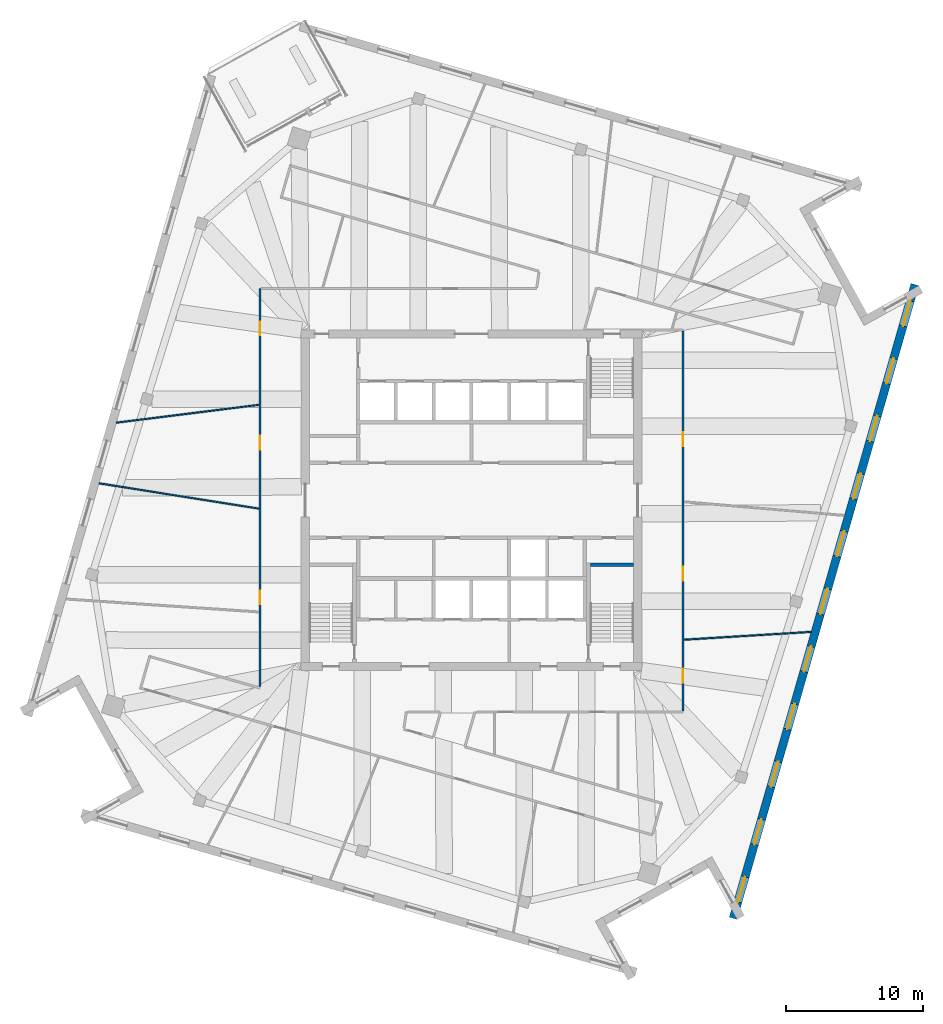
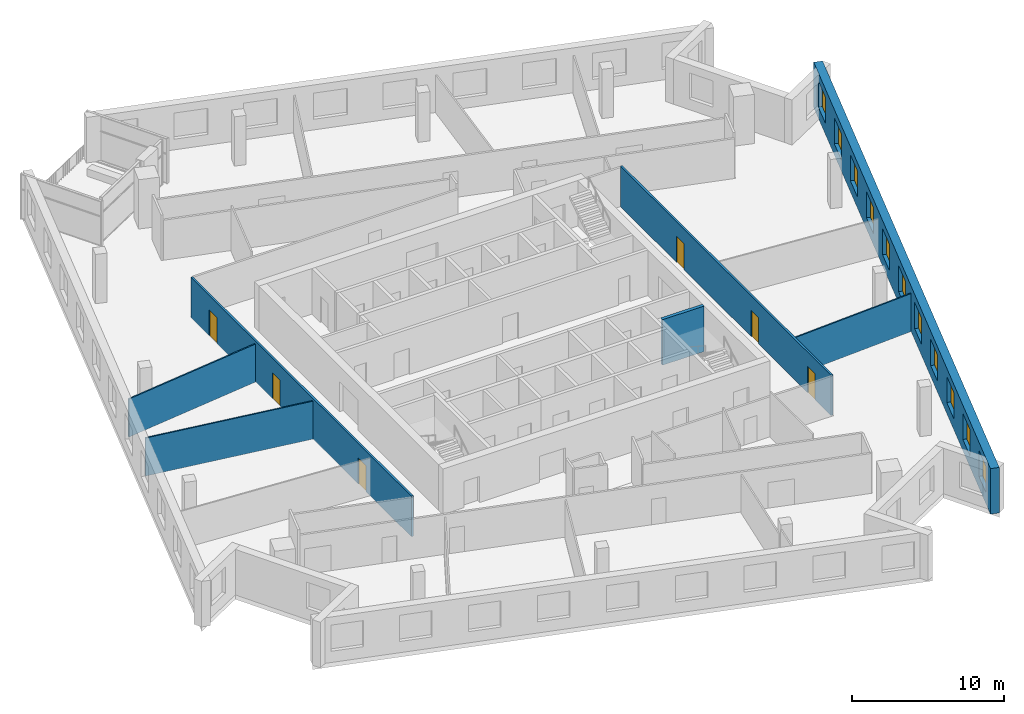
# One storey, part 9 of 15: 11 windows, 7 walls, 6 doors, 17 openings.
"""IFC4 building model written with IfcOpenShell, lengths in metres."""

from ifc_helpers import new_model, si_unit, direction, frame, frame_2d, origin, place, context, subcontext, project, spatial, rectangle, extrude, material, layer, layer_set, type_object, element, fill, save


model = new_model("IFC4")

# Units and contexts
model_context = context("Model", 3, precision=1e-05, world=origin(), true_north=direction((0.0, 1.0)))
body_context = subcontext(model_context, "Body", "Model", "MODEL_VIEW")
ifc_project = project(units=[si_unit("LENGTHUNIT", "METRE"), si_unit("AREAUNIT", "SQUARE_METRE"), si_unit("VOLUMEUNIT", "CUBIC_METRE"), si_unit("PLANEANGLEUNIT", "RADIAN"), si_unit("MASSUNIT", "GRAM", prefix="KILO")], contexts=[model_context])

# Site, building, storey
site_placement = place(None, origin())
site = spatial("IfcSite", under=ifc_project, at=site_placement, CompositionType="ELEMENT")
building_placement = place(site_placement, origin())
building = spatial("IfcBuilding", under=site, at=building_placement, Name="Dilmun Exchange Tower", CompositionType="ELEMENT")
storey_placement = place(building_placement, frame((0.0, 0.0, 324.5)))
storey = spatial("IfcBuildingStorey", under=building, at=storey_placement, Name="L77", CompositionType="ELEMENT", Elevation=324.5)

# Wall, openings, doors
ifc_material_1 = material(Name="Corridor wall 150")
ifc_layer_1 = layer(ifc_material_1, 0.14990234375)
ifc_layer_set_1 = layer_set([ifc_layer_1], Name="Corridor wall 150")
wall_type_1 = type_object("IfcWallType", Name="Corridor wall 150", PredefinedType="PARTITIONING", material=ifc_layer_set_1)
wall_1_placement = place(storey_placement, frame((-15.39990234375, -13.5654296875, 0.0), z_axis=(0.0, 0.0, 1.0), x_axis=(0.0, 1.0, 0.0)))
wall_1 = element("IfcWall", 1, at=wall_1_placement, inside=storey, type_object=wall_type_1, Name="Corridor wall", PredefinedType="PARTITIONING", context=body_context, shape_type="SweptSolid", body=[
    extrude(rectangle(XDim=28.96533203125, YDim=0.14990234375, at=frame_2d((14.482666015625, 0.0))), origin(), (0.0, 0.0, 1.0), 3.25),
])
opening_1_placement = place(wall_1_placement, frame((5.985595703125, 0.0, 0.0)))
opening_1 = element("IfcOpeningElement", 2, at=opening_1_placement, cuts=wall_1, Name="Opening TF77-D03", PredefinedType="OPENING", context=body_context, shape_type="SweptSolid", body=[
    extrude(rectangle(XDim=1.0, YDim=2.10009765625, at=frame_2d((0.5, 1.050048828125))), frame((0.0, 0.0849609375, 0.0), z_axis=(0.0, -1.0, 0.0), x_axis=(1.0, 0.0, 0.0)), (0.0, 0.0, 1.0), 0.169921875),
])
opening_2_placement = place(wall_1_placement, frame((17.248779296875, 0.0, 0.0)))
opening_2 = element("IfcOpeningElement", 3, at=opening_2_placement, cuts=wall_1, Name="Opening TF77-D04", PredefinedType="OPENING", context=body_context, shape_type="SweptSolid", body=[
    extrude(rectangle(XDim=1.0, YDim=2.10009765625, at=frame_2d((0.5, 1.050048828125))), frame((0.0, 0.0849609375, 0.0), z_axis=(0.0, -1.0, 0.0), x_axis=(1.0, 0.0, 0.0)), (0.0, 0.0, 1.0), 0.169921875),
])
opening_3_placement = place(wall_1_placement, frame((25.57080078125, 0.0, 0.0)))
opening_3 = element("IfcOpeningElement", 4, at=opening_3_placement, cuts=wall_1, Name="Opening TF77-D06", PredefinedType="OPENING", context=body_context, shape_type="SweptSolid", body=[
    extrude(rectangle(XDim=1.0, YDim=2.10009765625, at=frame_2d((0.5, 1.050048828125))), frame((0.0, 0.0849609375, 0.0), z_axis=(0.0, -1.0, 0.0), x_axis=(1.0, 0.0, 0.0)), (0.0, 0.0, 1.0), 0.169921875),
])
ifc_material_2 = material(Name="Fire door 1000 x 2100")
door_type = type_object("IfcDoorType", Name="Fire door 1000 x 2100", OperationType="NOTDEFINED", PredefinedType="DOOR", material=ifc_material_2)
door_1_placement = place(opening_1_placement, origin())
door_1 = element("IfcDoor", 5, at=door_1_placement, inside=storey, type_object=door_type, Name="Door TF77-D03", OperationType="SINGLE_SWING_RIGHT", OverallHeight=2.10009765625, OverallWidth=1.0, PredefinedType="DOOR", context=body_context, shape_type="SweptSolid", body=[
    extrude(rectangle(XDim=1.0, YDim=2.10009765625, at=frame_2d((0.5, 1.050048828125))), frame((0.0, 0.02490234375, 0.0), z_axis=(0.0, -1.0, 0.0), x_axis=(1.0, 0.0, 0.0)), (0.0, 0.0, 1.0), 0.050048828125),
])
fill(opening_1, door_1)
door_2_placement = place(opening_2_placement, origin())
door_2 = element("IfcDoor", 6, at=door_2_placement, inside=storey, type_object=door_type, Name="Door TF77-D04", OperationType="SINGLE_SWING_LEFT", OverallHeight=2.10009765625, OverallWidth=1.0, PredefinedType="DOOR", context=body_context, shape_type="SweptSolid", body=[
    extrude(rectangle(XDim=1.0, YDim=2.10009765625, at=frame_2d((0.5, 1.050048828125))), frame((0.0, 0.02490234375, 0.0), z_axis=(0.0, -1.0, 0.0), x_axis=(1.0, 0.0, 0.0)), (0.0, 0.0, 1.0), 0.050048828125),
])
fill(opening_2, door_2)
door_3_placement = place(opening_3_placement, origin())
door_3 = element("IfcDoor", 7, at=door_3_placement, inside=storey, type_object=door_type, Name="Door TF77-D06", OperationType="SINGLE_SWING_LEFT", OverallHeight=2.10009765625, OverallWidth=1.0, PredefinedType="DOOR", context=body_context, shape_type="SweptSolid", body=[
    extrude(rectangle(XDim=1.0, YDim=2.10009765625, at=frame_2d((0.5, 1.050048828125))), frame((0.0, 0.02490234375, 0.0), z_axis=(0.0, -1.0, 0.0), x_axis=(1.0, 0.0, 0.0)), (0.0, 0.0, 1.0), 0.050048828125),
])
fill(opening_3, door_3)

wall_2_placement = place(storey_placement, frame((15.39990234375, -15.324951171875, 0.0), z_axis=(0.0, 0.0, 1.0), x_axis=(0.0, 1.0, 0.0)))
wall_2 = element("IfcWall", 8, at=wall_2_placement, inside=storey, type_object=wall_type_1, Name="Corridor wall", PredefinedType="PARTITIONING", context=body_context, shape_type="SweptSolid", body=[
    extrude(rectangle(XDim=27.64990234375, YDim=0.14990234375, at=frame_2d((13.824951171875, 0.0))), origin(), (0.0, 0.0, 1.0), 3.25),
])
opening_4_placement = place(wall_2_placement, frame((2.050048828125, 0.0, 0.0)))
opening_4 = element("IfcOpeningElement", 9, at=opening_4_placement, cuts=wall_2, Name="Opening TF77-D17", PredefinedType="OPENING", context=body_context, shape_type="SweptSolid", body=[
    extrude(rectangle(XDim=1.0, YDim=2.10009765625, at=frame_2d((0.5, 1.050048828125))), frame((0.0, 0.0849609375, 0.0), z_axis=(0.0, -1.0, 0.0), x_axis=(1.0, 0.0, 0.0)), (0.0, 0.0, 1.0), 0.169921875),
])
opening_5_placement = place(wall_2_placement, frame((9.474365234375, 0.0, 0.0)))
opening_5 = element("IfcOpeningElement", 10, at=opening_5_placement, cuts=wall_2, Name="Opening TF77-D18", PredefinedType="OPENING", context=body_context, shape_type="SweptSolid", body=[
    extrude(rectangle(XDim=1.0, YDim=2.10009765625, at=frame_2d((0.5, 1.050048828125))), frame((0.0, 0.0849609375, 0.0), z_axis=(0.0, -1.0, 0.0), x_axis=(1.0, 0.0, 0.0)), (0.0, 0.0, 1.0), 0.169921875),
])
opening_6_placement = place(wall_2_placement, frame((19.271484375, 0.0, 0.0)))
opening_6 = element("IfcOpeningElement", 11, at=opening_6_placement, cuts=wall_2, Name="Opening TF77-D20", PredefinedType="OPENING", context=body_context, shape_type="SweptSolid", body=[
    extrude(rectangle(XDim=1.0, YDim=2.10009765625, at=frame_2d((0.5, 1.050048828125))), frame((0.0, 0.0849609375, 0.0), z_axis=(0.0, -1.0, 0.0), x_axis=(1.0, 0.0, 0.0)), (0.0, 0.0, 1.0), 0.169921875),
])
door_4_placement = place(opening_4_placement, frame((1.0, 0.0, 0.0), z_axis=(0.0, 0.0, 1.0), x_axis=(-1.0, 0.0, 0.0)))
door_4 = element("IfcDoor", 12, at=door_4_placement, inside=storey, type_object=door_type, Name="Door TF77-D17", OperationType="SINGLE_SWING_RIGHT", OverallHeight=2.10009765625, OverallWidth=1.0, PredefinedType="DOOR", context=body_context, shape_type="SweptSolid", body=[
    extrude(rectangle(XDim=1.0, YDim=2.10009765625, at=frame_2d((0.5, 1.050048828125))), frame((0.0, 0.02490234375, 0.0), z_axis=(0.0, -1.0, 0.0), x_axis=(1.0, 0.0, 0.0)), (0.0, 0.0, 1.0), 0.050048828125),
])
fill(opening_4, door_4)
door_5_placement = place(opening_5_placement, frame((1.0, 0.0, 0.0), z_axis=(0.0, 0.0, 1.0), x_axis=(-1.0, 0.0, 0.0)))
door_5 = element("IfcDoor", 13, at=door_5_placement, inside=storey, type_object=door_type, Name="Door TF77-D18", OperationType="SINGLE_SWING_LEFT", OverallHeight=2.10009765625, OverallWidth=1.0, PredefinedType="DOOR", context=body_context, shape_type="SweptSolid", body=[
    extrude(rectangle(XDim=1.0, YDim=2.10009765625, at=frame_2d((0.5, 1.050048828125))), frame((0.0, 0.02490234375, 0.0), z_axis=(0.0, -1.0, 0.0), x_axis=(1.0, 0.0, 0.0)), (0.0, 0.0, 1.0), 0.050048828125),
])
fill(opening_5, door_5)
door_6_placement = place(opening_6_placement, frame((1.0, 0.0, 0.0), z_axis=(0.0, 0.0, 1.0), x_axis=(-1.0, 0.0, 0.0)))
door_6 = element("IfcDoor", 14, at=door_6_placement, inside=storey, type_object=door_type, Name="Door TF77-D20", OperationType="SINGLE_SWING_LEFT", OverallHeight=2.10009765625, OverallWidth=1.0, PredefinedType="DOOR", context=body_context, shape_type="SweptSolid", body=[
    extrude(rectangle(XDim=1.0, YDim=2.10009765625, at=frame_2d((0.5, 1.050048828125))), frame((0.0, 0.02490234375, 0.0), z_axis=(0.0, -1.0, 0.0), x_axis=(1.0, 0.0, 0.0)), (0.0, 0.0, 1.0), 0.050048828125),
])
fill(opening_6, door_6)

# Walls
ifc_material_3 = material(Name="Partition 100")
ifc_layer_2 = layer(ifc_material_3, 0.10009765625)
ifc_layer_set_2 = layer_set([ifc_layer_2], Name="Partition 100")
wall_type_2 = type_object("IfcWallType", Name="Partition 100", PredefinedType="PARTITIONING", material=ifc_layer_set_2)
wall_3_placement = place(storey_placement, frame((-27.106689453125, 1.238037109375, 0.0), z_axis=(0.0, 0.0, 1.0), x_axis=(0.987675008346, -0.156518618344, 0.0)))
element("IfcWall", 15, at=wall_3_placement, inside=storey, type_object=wall_type_2, Name="Partition", PredefinedType="PARTITIONING", context=body_context, shape_type="SweptSolid", body=[
    extrude(rectangle(XDim=11.768798828125, YDim=0.10009765625, at=frame_2d((5.88427734375, 0.0))), origin(), (0.0, 0.0, 1.0), 3.050048828125),
])
wall_4_placement = place(storey_placement, frame((-25.841796875, 5.649658203125, 0.0), z_axis=(0.0, 0.0, 1.0), x_axis=(0.992219133517, 0.12450377939, 0.0)))
element("IfcWall", 16, at=wall_4_placement, inside=storey, type_object=wall_type_2, Name="Partition", PredefinedType="PARTITIONING", context=body_context, shape_type="SweptSolid", body=[
    extrude(rectangle(XDim=10.44189453125, YDim=0.10009765625, at=frame_2d((5.220947265625, 0.0))), origin(), (0.0, 0.0, 1.0), 3.050048828125),
])
wall_5_placement = place(storey_placement, frame((15.47802734375, -10.146240234375, 0.0), z_axis=(0.0, 0.0, 1.0), x_axis=(0.998109331295, 0.061463507728, 0.0)))
element("IfcWall", 17, at=wall_5_placement, inside=storey, type_object=wall_type_2, Name="Partition", PredefinedType="PARTITIONING", context=body_context, shape_type="SweptSolid", body=[
    extrude(rectangle(XDim=9.255126953125, YDim=0.10009765625, at=frame_2d((4.62744140625, 0.0))), origin(), (0.0, 0.0, 1.0), 3.050048828125),
])

# Wall, openings, windows
ifc_material_4 = material(Name="Precast concrete C50/60", Category="concrete")
ifc_layer_3 = layer(ifc_material_4, 0.60009765625)
ifc_layer_set_3 = layer_set([ifc_layer_3], Name="Precast concrete C50/60")
wall_type_3 = type_object("IfcWallType", Name="Precast stone-clad wall 600", PredefinedType="STANDARD", material=ifc_layer_set_3)
wall_6_placement = place(storey_placement, frame((19.05322265625, -30.419921875, 0.0), z_axis=(0.0, 0.0, 1.0), x_axis=(0.275637022814, 0.961261791425, 0.0)))
wall_6 = element("IfcWall", 18, at=wall_6_placement, inside=storey, type_object=wall_type_3, Name="Facade wall L77-11", PredefinedType="STANDARD", context=body_context, shape_type="SweptSolid", body=[
    extrude(rectangle(XDim=47.979248046875, YDim=0.60009765625, at=frame_2d((23.98974609375, 0.0))), origin(), (0.0, 0.0, 1.0), 3.64990234375),
])
opening_7_placement = place(wall_6_placement, frame((1.23095703125, 0.0, 0.89990234375)))
opening_7 = element("IfcOpeningElement", 19, at=opening_7_placement, cuts=wall_6, Name="Opening W190-210", PredefinedType="OPENING", context=body_context, shape_type="SweptSolid", body=[
    extrude(rectangle(XDim=1.89990234375, YDim=2.10009765625, at=frame_2d((0.949951171875, 1.050048828125))), frame((0.0, 0.31005859375, 0.0), z_axis=(0.0, -1.0, 0.0), x_axis=(1.0, 0.0, 0.0)), (0.0, 0.0, 1.0), 0.6201171875),
])
opening_8_placement = place(wall_6_placement, frame((5.592529296875, 0.0, 0.89990234375)))
opening_8 = element("IfcOpeningElement", 20, at=opening_8_placement, cuts=wall_6, Name="Opening W190-210", PredefinedType="OPENING", context=body_context, shape_type="SweptSolid", body=[
    extrude(rectangle(XDim=1.89990234375, YDim=2.10009765625, at=frame_2d((0.949951171875, 1.050048828125))), frame((0.0, 0.31005859375, 0.0), z_axis=(0.0, -1.0, 0.0), x_axis=(1.0, 0.0, 0.0)), (0.0, 0.0, 1.0), 0.6201171875),
])
opening_9_placement = place(wall_6_placement, frame((9.954345703125, 0.0, 0.89990234375)))
opening_9 = element("IfcOpeningElement", 21, at=opening_9_placement, cuts=wall_6, Name="Opening W190-210", PredefinedType="OPENING", context=body_context, shape_type="SweptSolid", body=[
    extrude(rectangle(XDim=1.89990234375, YDim=2.10009765625, at=frame_2d((0.949951171875, 1.050048828125))), frame((0.0, 0.31005859375, 0.0), z_axis=(0.0, -1.0, 0.0), x_axis=(1.0, 0.0, 0.0)), (0.0, 0.0, 1.0), 0.6201171875),
])
opening_10_placement = place(wall_6_placement, frame((14.316162109375, 0.0, 0.89990234375)))
opening_10 = element("IfcOpeningElement", 22, at=opening_10_placement, cuts=wall_6, Name="Opening W190-210", PredefinedType="OPENING", context=body_context, shape_type="SweptSolid", body=[
    extrude(rectangle(XDim=1.89990234375, YDim=2.10009765625, at=frame_2d((0.949951171875, 1.050048828125))), frame((0.0, 0.31005859375, 0.0), z_axis=(0.0, -1.0, 0.0), x_axis=(1.0, 0.0, 0.0)), (0.0, 0.0, 1.0), 0.6201171875),
])
opening_11_placement = place(wall_6_placement, frame((18.677734375, 0.0, 0.89990234375)))
opening_11 = element("IfcOpeningElement", 23, at=opening_11_placement, cuts=wall_6, Name="Opening W190-210", PredefinedType="OPENING", context=body_context, shape_type="SweptSolid", body=[
    extrude(rectangle(XDim=1.89990234375, YDim=2.10009765625, at=frame_2d((0.949951171875, 1.050048828125))), frame((0.0, 0.31005859375, 0.0), z_axis=(0.0, -1.0, 0.0), x_axis=(1.0, 0.0, 0.0)), (0.0, 0.0, 1.0), 0.6201171875),
])
opening_12_placement = place(wall_6_placement, frame((23.03955078125, 0.0, 0.89990234375)))
opening_12 = element("IfcOpeningElement", 24, at=opening_12_placement, cuts=wall_6, Name="Opening W190-210", PredefinedType="OPENING", context=body_context, shape_type="SweptSolid", body=[
    extrude(rectangle(XDim=1.89990234375, YDim=2.10009765625, at=frame_2d((0.949951171875, 1.050048828125))), frame((0.0, 0.31005859375, 0.0), z_axis=(0.0, -1.0, 0.0), x_axis=(1.0, 0.0, 0.0)), (0.0, 0.0, 1.0), 0.6201171875),
])
opening_13_placement = place(wall_6_placement, frame((27.4013671875, 0.0, 0.89990234375)))
opening_13 = element("IfcOpeningElement", 25, at=opening_13_placement, cuts=wall_6, Name="Opening W190-210", PredefinedType="OPENING", context=body_context, shape_type="SweptSolid", body=[
    extrude(rectangle(XDim=1.89990234375, YDim=2.10009765625, at=frame_2d((0.949951171875, 1.050048828125))), frame((0.0, 0.31005859375, 0.0), z_axis=(0.0, -1.0, 0.0), x_axis=(1.0, 0.0, 0.0)), (0.0, 0.0, 1.0), 0.6201171875),
])
opening_14_placement = place(wall_6_placement, frame((31.76318359375, 0.0, 0.89990234375)))
opening_14 = element("IfcOpeningElement", 26, at=opening_14_placement, cuts=wall_6, Name="Opening W190-210", PredefinedType="OPENING", context=body_context, shape_type="SweptSolid", body=[
    extrude(rectangle(XDim=1.89990234375, YDim=2.10009765625, at=frame_2d((0.949951171875, 1.050048828125))), frame((0.0, 0.31005859375, 0.0), z_axis=(0.0, -1.0, 0.0), x_axis=(1.0, 0.0, 0.0)), (0.0, 0.0, 1.0), 0.6201171875),
])
opening_15_placement = place(wall_6_placement, frame((36.124755859375, 0.0, 0.89990234375)))
opening_15 = element("IfcOpeningElement", 27, at=opening_15_placement, cuts=wall_6, Name="Opening W190-210", PredefinedType="OPENING", context=body_context, shape_type="SweptSolid", body=[
    extrude(rectangle(XDim=1.89990234375, YDim=2.10009765625, at=frame_2d((0.949951171875, 1.050048828125))), frame((0.0, 0.31005859375, 0.0), z_axis=(0.0, -1.0, 0.0), x_axis=(1.0, 0.0, 0.0)), (0.0, 0.0, 1.0), 0.6201171875),
])
opening_16_placement = place(wall_6_placement, frame((40.486572265625, 0.0, 0.89990234375)))
opening_16 = element("IfcOpeningElement", 28, at=opening_16_placement, cuts=wall_6, Name="Opening W190-210", PredefinedType="OPENING", context=body_context, shape_type="SweptSolid", body=[
    extrude(rectangle(XDim=1.89990234375, YDim=2.10009765625, at=frame_2d((0.949951171875, 1.050048828125))), frame((0.0, 0.31005859375, 0.0), z_axis=(0.0, -1.0, 0.0), x_axis=(1.0, 0.0, 0.0)), (0.0, 0.0, 1.0), 0.6201171875),
])
opening_17_placement = place(wall_6_placement, frame((44.848388671875, 0.0, 0.89990234375)))
opening_17 = element("IfcOpeningElement", 29, at=opening_17_placement, cuts=wall_6, Name="Opening W190-210", PredefinedType="OPENING", context=body_context, shape_type="SweptSolid", body=[
    extrude(rectangle(XDim=1.89990234375, YDim=2.10009765625, at=frame_2d((0.949951171875, 1.050048828125))), frame((0.0, 0.31005859375, 0.0), z_axis=(0.0, -1.0, 0.0), x_axis=(1.0, 0.0, 0.0)), (0.0, 0.0, 1.0), 0.6201171875),
])
ifc_material_5 = material(Name="Clear low-emissivity glass in aluminium frame", Category="aluminium")
window_type = type_object("IfcWindowType", Name="Punched window 1900 x 2100", PartitioningType="DOUBLE_PANEL_VERTICAL", PredefinedType="WINDOW", material=ifc_material_5)
window_1_placement = place(opening_7_placement, origin())
window_1 = element("IfcWindow", 30, at=window_1_placement, inside=storey, type_object=window_type, Name="Window 12.1", OverallHeight=2.10009765625, OverallWidth=1.89990234375, PartitioningType="SINGLE_PANEL", PredefinedType="WINDOW", context=body_context, shape_type="SweptSolid", body=[
    extrude(rectangle(XDim=1.89990234375, YDim=2.10009765625, at=frame_2d((0.949951171875, 1.050048828125))), frame((0.0, 0.030029296875, 0.0), z_axis=(0.0, -1.0, 0.0), x_axis=(1.0, 0.0, 0.0)), (0.0, 0.0, 1.0), 0.06005859375),
])
fill(opening_7, window_1)
window_2_placement = place(opening_8_placement, origin())
window_2 = element("IfcWindow", 31, at=window_2_placement, inside=storey, type_object=window_type, Name="Window 12.2", OverallHeight=2.10009765625, OverallWidth=1.89990234375, PartitioningType="SINGLE_PANEL", PredefinedType="WINDOW", context=body_context, shape_type="SweptSolid", body=[
    extrude(rectangle(XDim=1.89990234375, YDim=2.10009765625, at=frame_2d((0.949951171875, 1.050048828125))), frame((0.0, 0.030029296875, 0.0), z_axis=(0.0, -1.0, 0.0), x_axis=(1.0, 0.0, 0.0)), (0.0, 0.0, 1.0), 0.06005859375),
])
fill(opening_8, window_2)
window_3_placement = place(opening_9_placement, origin())
window_3 = element("IfcWindow", 32, at=window_3_placement, inside=storey, type_object=window_type, Name="Window 12.3", OverallHeight=2.10009765625, OverallWidth=1.89990234375, PartitioningType="SINGLE_PANEL", PredefinedType="WINDOW", context=body_context, shape_type="SweptSolid", body=[
    extrude(rectangle(XDim=1.89990234375, YDim=2.10009765625, at=frame_2d((0.949951171875, 1.050048828125))), frame((0.0, 0.030029296875, 0.0), z_axis=(0.0, -1.0, 0.0), x_axis=(1.0, 0.0, 0.0)), (0.0, 0.0, 1.0), 0.06005859375),
])
fill(opening_9, window_3)
window_4_placement = place(opening_10_placement, origin())
window_4 = element("IfcWindow", 33, at=window_4_placement, inside=storey, type_object=window_type, Name="Window 12.4", OverallHeight=2.10009765625, OverallWidth=1.89990234375, PartitioningType="SINGLE_PANEL", PredefinedType="WINDOW", context=body_context, shape_type="SweptSolid", body=[
    extrude(rectangle(XDim=1.89990234375, YDim=2.10009765625, at=frame_2d((0.949951171875, 1.050048828125))), frame((0.0, 0.030029296875, 0.0), z_axis=(0.0, -1.0, 0.0), x_axis=(1.0, 0.0, 0.0)), (0.0, 0.0, 1.0), 0.06005859375),
])
fill(opening_10, window_4)
window_5_placement = place(opening_11_placement, origin())
window_5 = element("IfcWindow", 34, at=window_5_placement, inside=storey, type_object=window_type, Name="Window 12.5", OverallHeight=2.10009765625, OverallWidth=1.89990234375, PartitioningType="SINGLE_PANEL", PredefinedType="WINDOW", context=body_context, shape_type="SweptSolid", body=[
    extrude(rectangle(XDim=1.89990234375, YDim=2.10009765625, at=frame_2d((0.949951171875, 1.050048828125))), frame((0.0, 0.030029296875, 0.0), z_axis=(0.0, -1.0, 0.0), x_axis=(1.0, 0.0, 0.0)), (0.0, 0.0, 1.0), 0.06005859375),
])
fill(opening_11, window_5)
window_6_placement = place(opening_12_placement, origin())
window_6 = element("IfcWindow", 35, at=window_6_placement, inside=storey, type_object=window_type, Name="Window 12.6", OverallHeight=2.10009765625, OverallWidth=1.89990234375, PartitioningType="SINGLE_PANEL", PredefinedType="WINDOW", context=body_context, shape_type="SweptSolid", body=[
    extrude(rectangle(XDim=1.89990234375, YDim=2.10009765625, at=frame_2d((0.949951171875, 1.050048828125))), frame((0.0, 0.030029296875, 0.0), z_axis=(0.0, -1.0, 0.0), x_axis=(1.0, 0.0, 0.0)), (0.0, 0.0, 1.0), 0.06005859375),
])
fill(opening_12, window_6)
window_7_placement = place(opening_13_placement, origin())
window_7 = element("IfcWindow", 36, at=window_7_placement, inside=storey, type_object=window_type, Name="Window 12.7", OverallHeight=2.10009765625, OverallWidth=1.89990234375, PartitioningType="SINGLE_PANEL", PredefinedType="WINDOW", context=body_context, shape_type="SweptSolid", body=[
    extrude(rectangle(XDim=1.89990234375, YDim=2.10009765625, at=frame_2d((0.949951171875, 1.050048828125))), frame((0.0, 0.030029296875, 0.0), z_axis=(0.0, -1.0, 0.0), x_axis=(1.0, 0.0, 0.0)), (0.0, 0.0, 1.0), 0.06005859375),
])
fill(opening_13, window_7)
window_8_placement = place(opening_14_placement, origin())
window_8 = element("IfcWindow", 37, at=window_8_placement, inside=storey, type_object=window_type, Name="Window 12.8", OverallHeight=2.10009765625, OverallWidth=1.89990234375, PartitioningType="SINGLE_PANEL", PredefinedType="WINDOW", context=body_context, shape_type="SweptSolid", body=[
    extrude(rectangle(XDim=1.89990234375, YDim=2.10009765625, at=frame_2d((0.949951171875, 1.050048828125))), frame((0.0, 0.030029296875, 0.0), z_axis=(0.0, -1.0, 0.0), x_axis=(1.0, 0.0, 0.0)), (0.0, 0.0, 1.0), 0.06005859375),
])
fill(opening_14, window_8)
window_9_placement = place(opening_15_placement, origin())
window_9 = element("IfcWindow", 38, at=window_9_placement, inside=storey, type_object=window_type, Name="Window 12.9", OverallHeight=2.10009765625, OverallWidth=1.89990234375, PartitioningType="SINGLE_PANEL", PredefinedType="WINDOW", context=body_context, shape_type="SweptSolid", body=[
    extrude(rectangle(XDim=1.89990234375, YDim=2.10009765625, at=frame_2d((0.949951171875, 1.050048828125))), frame((0.0, 0.030029296875, 0.0), z_axis=(0.0, -1.0, 0.0), x_axis=(1.0, 0.0, 0.0)), (0.0, 0.0, 1.0), 0.06005859375),
])
fill(opening_15, window_9)
window_10_placement = place(opening_16_placement, origin())
window_10 = element("IfcWindow", 39, at=window_10_placement, inside=storey, type_object=window_type, Name="Window 12.10", OverallHeight=2.10009765625, OverallWidth=1.89990234375, PartitioningType="SINGLE_PANEL", PredefinedType="WINDOW", context=body_context, shape_type="SweptSolid", body=[
    extrude(rectangle(XDim=1.89990234375, YDim=2.10009765625, at=frame_2d((0.949951171875, 1.050048828125))), frame((0.0, 0.030029296875, 0.0), z_axis=(0.0, -1.0, 0.0), x_axis=(1.0, 0.0, 0.0)), (0.0, 0.0, 1.0), 0.06005859375),
])
fill(opening_16, window_10)
window_11_placement = place(opening_17_placement, origin())
window_11 = element("IfcWindow", 40, at=window_11_placement, inside=storey, type_object=window_type, Name="Window 12.11", OverallHeight=2.10009765625, OverallWidth=1.89990234375, PartitioningType="SINGLE_PANEL", PredefinedType="WINDOW", context=body_context, shape_type="SweptSolid", body=[
    extrude(rectangle(XDim=1.89990234375, YDim=2.10009765625, at=frame_2d((0.949951171875, 1.050048828125))), frame((0.0, 0.030029296875, 0.0), z_axis=(0.0, -1.0, 0.0), x_axis=(1.0, 0.0, 0.0)), (0.0, 0.0, 1.0), 0.06005859375),
])
fill(opening_17, window_11)

# Wall
ifc_material_6 = material(Name="Concrete C40/50", Category="concrete")
ifc_layer_4 = layer(ifc_material_6, 0.25)
ifc_layer_set_4 = layer_set([ifc_layer_4], Name="Concrete C40/50")
wall_type_4 = type_object("IfcWallType", Name="Stair end wall 250", PredefinedType="SOLIDWALL", material=ifc_layer_set_4)
wall_7_placement = place(storey_placement, frame((8.64990234375, -4.675048828125, 0.0), z_axis=(0.0, 0.0, 1.0), x_axis=(1.0, 0.0, 0.0)))
element("IfcWall", 41, at=wall_7_placement, inside=storey, type_object=wall_type_4, Name="L77 ST3 far wall", PredefinedType="SOLIDWALL", context=body_context, shape_type="SweptSolid", body=[
    extrude(rectangle(XDim=3.150146484375, YDim=0.25, at=frame_2d((1.5751953125, 0.0))), origin(), (0.0, 0.0, 1.0), 3.64990234375),
])

save(model, "model.ifc")
